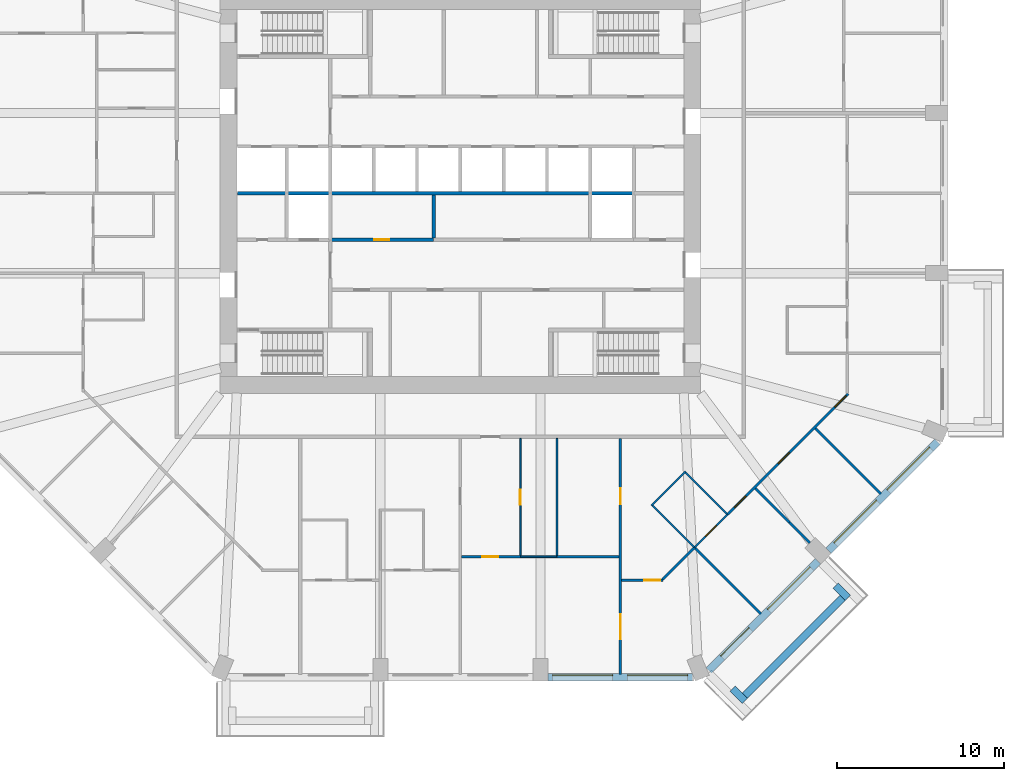
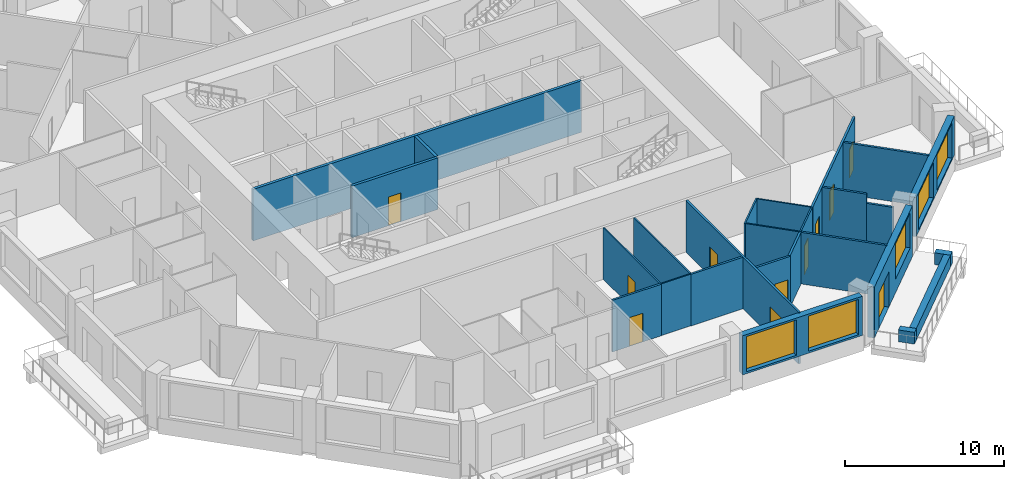
# One storey, part 5 of 13: 26 walls, 11 doors, 5 windows, 16 openings.
"""IFC4 building model written with IfcOpenShell, lengths in metres."""

from ifc_helpers import new_model, si_unit, direction, frame, frame_2d, origin, place, context, subcontext, project, spatial, rectangle, extrude, material, layer, layer_set, type_object, element, fill, save


model = new_model("IFC4")

# Units and contexts
model_context = context("Model", 3, precision=1e-05, world=origin(), true_north=direction((0.0, 1.0)))
body_context = subcontext(model_context, "Body", "Model", "MODEL_VIEW")
ifc_project = project(units=[si_unit("LENGTHUNIT", "METRE"), si_unit("AREAUNIT", "SQUARE_METRE"), si_unit("VOLUMEUNIT", "CUBIC_METRE"), si_unit("PLANEANGLEUNIT", "RADIAN"), si_unit("MASSUNIT", "GRAM", prefix="KILO")], contexts=[model_context])

# Site, building, storey
site_placement = place(None, origin())
site = spatial("IfcSite", under=ifc_project, at=site_placement, CompositionType="ELEMENT")
building_placement = place(site_placement, origin())
building = spatial("IfcBuilding", under=site, at=building_placement, Name="Msitu Wima Residences", CompositionType="ELEMENT")
storey_placement = place(building_placement, frame((0.0, 0.0, 80.10009765625)))
storey = spatial("IfcBuildingStorey", under=building, at=storey_placement, Name="L18", CompositionType="ELEMENT", Elevation=80.10009765625)

# Walls
ifc_material_1 = material(Name="Facing brick")
ifc_layer_1 = layer(ifc_material_1, 0.06494140625, Name="Facing brick")
ifc_material_2 = material(Name="Concrete C40/50", Category="concrete")
ifc_layer_2 = layer(ifc_material_2, 0.156005859375, Name="Concrete C40/50")
ifc_material_3 = material(Name="Waterproofing membrane")
ifc_layer_3 = layer(ifc_material_3, 0.00390625, Name="Waterproofing membrane")
ifc_material_4 = material(Name="Planting soil and planting")
ifc_layer_4 = layer(ifc_material_4, 0.22509765625, Name="Planting soil and planting")
ifc_layer_set_1 = layer_set([ifc_layer_1, ifc_layer_2, ifc_layer_3, ifc_layer_4], Name="Concrete C40/50")
wall_type_1 = type_object("IfcWallType", Name="Balcony planter PLANTER PL450", PredefinedType="USERDEFINED", material=ifc_layer_set_1)
wall_1_placement = place(storey_placement, frame((17.0693359375, -30.125732421875, 0.0), z_axis=(0.0, 0.0, 1.0), x_axis=(0.707106781187, 0.707106781187, 0.0)))
element("IfcWall", 1, at=wall_1_placement, inside=storey, type_object=wall_type_1, Name="Balcony planter SE0 L18", ObjectType="PLANTER", PredefinedType="USERDEFINED", context=body_context, shape_type="SweptSolid", body=[
    extrude(rectangle(XDim=8.2822265625, YDim=0.449951171875, at=frame_2d((4.14111328125, 0.0))), origin(), (0.0, 0.0, 1.0), 0.89990234375),
])
for number, where, z_axis, x_axis, name in (
    (2, (16.326904296875, -29.70166015625, 0.0), (0.0, 0.0, 1.0), (0.707106781187, -0.707106781187, 0.0), "Balcony planter SE0 L18"),
    (3, (22.50146484375, -23.52685546875, 0.0), (0.0, 0.0, 1.0), (0.707223014731, -0.706990528533, 0.0), "Balcony planter SE0 L18"),
):
    element("IfcWall", number, at=place(storey_placement, frame(where, z_axis=z_axis, x_axis=x_axis)), inside=storey, type_object=wall_type_1, Name=name, ObjectType="PLANTER", PredefinedType="USERDEFINED", context=body_context, shape_type="SweptSolid", body=[
        extrude(rectangle(XDim=1.050048828125, YDim=0.449951171875, at=frame_2d((0.52490234375, 0.0))), origin(), (0.0, 0.0, 1.0), 0.89990234375),
    ])

# Wall, openings, windows
ifc_material_5 = material(Name="Brick (red buff mix)", Category="masonry")
ifc_layer_5 = layer(ifc_material_5, 0.449951171875)
ifc_layer_set_2 = layer_set([ifc_layer_5], Name="Brick (red buff mix)")
wall_type_2 = type_object("IfcWallType", Name="Brick infill wall BW450", PredefinedType="SOLIDWALL", material=ifc_layer_set_2)
wall_2_placement = place(storey_placement, frame((5.25, -29.02490234375, 0.89990234375), z_axis=(0.0, 0.0, 1.0), x_axis=(1.0, 0.0, 0.0)))
wall_2 = element("IfcWall", 4, at=wall_2_placement, inside=storey, type_object=wall_type_2, Name="Brick infill wall L18 S2", PredefinedType="SOLIDWALL", context=body_context, shape_type="SweptSolid", body=[
    extrude(rectangle(XDim=8.662841796875, YDim=0.449951171875, at=frame_2d((4.33154296875, 0.0))), origin(), (0.0, 0.0, 1.0), 3.0),
])
opening_1_placement = place(wall_2_placement, frame((0.281494140625, 0.0, 0.14990234375)))
opening_1 = element("IfcOpeningElement", 5, at=opening_1_placement, cuts=wall_2, Name="Opening W18-20.020", PredefinedType="OPENING", context=body_context, shape_type="SweptSolid", body=[
    extrude(rectangle(XDim=3.60009765625, YDim=2.699951171875, at=frame_2d((1.800048828125, 1.35009765625))), frame((0.0, 0.23486328125, 0.0), z_axis=(0.0, -1.0, 0.0), x_axis=(1.0, 0.0, 0.0)), (0.0, 0.0, 1.0), 0.469970703125),
])
opening_2_placement = place(wall_2_placement, frame((4.781494140625, 0.0, 0.14990234375)))
opening_2 = element("IfcOpeningElement", 6, at=opening_2_placement, cuts=wall_2, Name="Opening W18-20.021", PredefinedType="OPENING", context=body_context, shape_type="SweptSolid", body=[
    extrude(rectangle(XDim=3.60009765625, YDim=2.699951171875, at=frame_2d((1.800048828125, 1.35009765625))), frame((0.0, 0.23486328125, 0.0), z_axis=(0.0, -1.0, 0.0), x_axis=(1.0, 0.0, 0.0)), (0.0, 0.0, 1.0), 0.469970703125),
])
ifc_material_6 = material(Name="Anodised aluminium, bronze finish, clear low-emissivity double glazing", Category="aluminium")
window_type = type_object("IfcWindowType", Name="Window W3600x2700", PartitioningType="DOUBLE_PANEL_VERTICAL", PredefinedType="WINDOW", material=ifc_material_6)
window_1_placement = place(opening_1_placement, origin())
window_1 = element("IfcWindow", 7, at=window_1_placement, inside=storey, type_object=window_type, Name="Window L18 S2.1", OverallHeight=2.699951171875, OverallWidth=3.60009765625, PartitioningType="SINGLE_PANEL", PredefinedType="WINDOW", context=body_context, shape_type="SweptSolid", body=[
    extrude(rectangle(XDim=3.60009765625, YDim=2.699951171875, at=frame_2d((1.800048828125, 1.35009765625))), frame((0.0, 0.135009765625, 0.0), z_axis=(0.0, -1.0, 0.0), x_axis=(1.0, 0.0, 0.0)), (0.0, 0.0, 1.0), 0.06005859375),
])
fill(opening_1, window_1)
window_2_placement = place(opening_2_placement, origin())
window_2 = element("IfcWindow", 8, at=window_2_placement, inside=storey, type_object=window_type, Name="Window L18 S2.2", OverallHeight=2.699951171875, OverallWidth=3.60009765625, PartitioningType="SINGLE_PANEL", PredefinedType="WINDOW", context=body_context, shape_type="SweptSolid", body=[
    extrude(rectangle(XDim=3.60009765625, YDim=2.699951171875, at=frame_2d((1.800048828125, 1.35009765625))), frame((0.0, 0.135009765625, 0.0), z_axis=(0.0, -1.0, 0.0), x_axis=(1.0, 0.0, 0.0)), (0.0, 0.0, 1.0), 0.06005859375),
])
fill(opening_2, window_2)

# Wall, openings, door, window
wall_3_placement = place(storey_placement, frame((14.903564453125, -28.61474609375, 0.0), z_axis=(0.0, 0.0, 1.0), x_axis=(0.707106781187, 0.707106781187, 0.0)))
wall_3 = element("IfcWall", 9, at=wall_3_placement, inside=storey, type_object=wall_type_2, Name="Brick infill wall L18 SE0", PredefinedType="SOLIDWALL", context=body_context, shape_type="SweptSolid", body=[
    extrude(rectangle(XDim=9.2451171875, YDim=0.449951171875, at=frame_2d((4.62255859375, 0.0))), origin(), (0.0, 0.0, 1.0), 3.89990234375),
])
opening_3_placement = place(wall_3_placement, frame((1.111328125, 0.0, 0.0)))
opening_3 = element("IfcOpeningElement", 10, at=opening_3_placement, cuts=wall_3, Name="Opening D18-20.006", PredefinedType="OPENING", context=body_context, shape_type="SweptSolid", body=[
    extrude(rectangle(XDim=2.39990234375, YDim=2.699951171875, at=frame_2d((1.199951171875, 1.35009765625))), frame((0.0, 0.23486328125, 0.0), z_axis=(0.0, -1.0, 0.0), x_axis=(1.0, 0.0, 0.0)), (0.0, 0.0, 1.0), 0.469970703125),
])
opening_4_placement = place(wall_3_placement, frame((5.072509765625, 0.0, 1.050048828125)))
opening_4 = element("IfcOpeningElement", 11, at=opening_4_placement, cuts=wall_3, Name="Opening W18-20.022", PredefinedType="OPENING", context=body_context, shape_type="SweptSolid", body=[
    extrude(rectangle(XDim=3.60009765625, YDim=2.699951171875, at=frame_2d((1.800048828125, 1.35009765625))), frame((0.0, 0.23486328125, 0.0), z_axis=(0.0, -1.0, 0.0), x_axis=(1.0, 0.0, 0.0)), (0.0, 0.0, 1.0), 0.469970703125),
])
door_type_1 = type_object("IfcDoorType", Name="Balcony door D2400x2700", OperationType="SLIDING_TO_LEFT", PredefinedType="DOOR", material=ifc_material_6)
door_1_placement = place(opening_3_placement, origin())
door_1 = element("IfcDoor", 12, at=door_1_placement, inside=storey, type_object=door_type_1, Name="Balcony door L18 SE0", OperationType="SINGLE_SWING_LEFT", OverallHeight=2.699951171875, OverallWidth=2.39990234375, PredefinedType="DOOR", context=body_context, shape_type="SweptSolid", body=[
    extrude(rectangle(XDim=2.39990234375, YDim=2.699951171875, at=frame_2d((1.199951171875, 1.35009765625))), frame((0.0, 0.1298828125, 0.0), z_axis=(0.0, -1.0, 0.0), x_axis=(1.0, 0.0, 0.0)), (0.0, 0.0, 1.0), 0.050048828125),
])
fill(opening_3, door_1)
window_3_placement = place(opening_4_placement, origin())
window_3 = element("IfcWindow", 13, at=window_3_placement, inside=storey, type_object=window_type, Name="Window L18 SE0.2", OverallHeight=2.699951171875, OverallWidth=3.60009765625, PartitioningType="SINGLE_PANEL", PredefinedType="WINDOW", context=body_context, shape_type="SweptSolid", body=[
    extrude(rectangle(XDim=3.60009765625, YDim=2.699951171875, at=frame_2d((1.800048828125, 1.35009765625))), frame((0.0, 0.135009765625, 0.0), z_axis=(0.0, -1.0, 0.0), x_axis=(1.0, 0.0, 0.0)), (0.0, 0.0, 1.0), 0.06005859375),
])
fill(opening_4, window_3)

# Wall, openings, windows
wall_4_placement = place(storey_placement, frame((22.077392578125, -21.44091796875, 0.89990234375), z_axis=(0.0, 0.0, 1.0), x_axis=(0.707106781187, 0.707106781187, 0.0)))
wall_4 = element("IfcWall", 14, at=wall_4_placement, inside=storey, type_object=wall_type_2, Name="Brick infill wall L18 SE1", PredefinedType="SOLIDWALL", context=body_context, shape_type="SweptSolid", body=[
    extrude(rectangle(XDim=9.2451171875, YDim=0.449951171875, at=frame_2d((4.62255859375, 0.0))), origin(), (0.0, 0.0, 1.0), 3.0),
])
opening_5_placement = place(wall_4_placement, frame((0.572509765625, 0.0, 0.14990234375)))
opening_5 = element("IfcOpeningElement", 15, at=opening_5_placement, cuts=wall_4, Name="Opening W18-20.023", PredefinedType="OPENING", context=body_context, shape_type="SweptSolid", body=[
    extrude(rectangle(XDim=3.60009765625, YDim=2.699951171875, at=frame_2d((1.800048828125, 1.35009765625))), frame((0.0, 0.23486328125, 0.0), z_axis=(0.0, -1.0, 0.0), x_axis=(1.0, 0.0, 0.0)), (0.0, 0.0, 1.0), 0.469970703125),
])
opening_6_placement = place(wall_4_placement, frame((5.072509765625, 0.0, 0.14990234375)))
opening_6 = element("IfcOpeningElement", 16, at=opening_6_placement, cuts=wall_4, Name="Opening W18-20.024", PredefinedType="OPENING", context=body_context, shape_type="SweptSolid", body=[
    extrude(rectangle(XDim=3.60009765625, YDim=2.699951171875, at=frame_2d((1.800048828125, 1.35009765625))), frame((0.0, 0.23486328125, 0.0), z_axis=(0.0, -1.0, 0.0), x_axis=(1.0, 0.0, 0.0)), (0.0, 0.0, 1.0), 0.469970703125),
])
window_4_placement = place(opening_5_placement, origin())
window_4 = element("IfcWindow", 17, at=window_4_placement, inside=storey, type_object=window_type, Name="Window L18 SE1.1", OverallHeight=2.699951171875, OverallWidth=3.60009765625, PartitioningType="SINGLE_PANEL", PredefinedType="WINDOW", context=body_context, shape_type="SweptSolid", body=[
    extrude(rectangle(XDim=3.60009765625, YDim=2.699951171875, at=frame_2d((1.800048828125, 1.35009765625))), frame((0.0, 0.135009765625, 0.0), z_axis=(0.0, -1.0, 0.0), x_axis=(1.0, 0.0, 0.0)), (0.0, 0.0, 1.0), 0.06005859375),
])
fill(opening_5, window_4)
window_5_placement = place(opening_6_placement, origin())
window_5 = element("IfcWindow", 18, at=window_5_placement, inside=storey, type_object=window_type, Name="Window L18 SE1.2", OverallHeight=2.699951171875, OverallWidth=3.60009765625, PartitioningType="SINGLE_PANEL", PredefinedType="WINDOW", context=body_context, shape_type="SweptSolid", body=[
    extrude(rectangle(XDim=3.60009765625, YDim=2.699951171875, at=frame_2d((1.800048828125, 1.35009765625))), frame((0.0, 0.135009765625, 0.0), z_axis=(0.0, -1.0, 0.0), x_axis=(1.0, 0.0, 0.0)), (0.0, 0.0, 1.0), 0.06005859375),
])
fill(opening_6, window_5)

# Wall, opening, door
ifc_material_7 = material(Name="Plaster")
ifc_layer_6 = layer(ifc_material_7, 0.011962890625, Name="Plaster")
ifc_material_8 = material(Name="Concrete blockwork", Category="masonry")
ifc_layer_7 = layer(ifc_material_8, 0.1259765625, Name="Concrete blockwork")
ifc_layer_8 = layer(ifc_material_7, 0.011962890625, Name="Plaster")
ifc_layer_set_3 = layer_set([ifc_layer_6, ifc_layer_7, ifc_layer_8], Name="Concrete blockwork")
wall_type_3 = type_object("IfcWallType", Name="Partition PW150", PredefinedType="PARTITIONING", material=ifc_layer_set_3)
wall_5_placement = place(storey_placement, frame((0.074951171875, -21.800048828125, 0.0), z_axis=(0.0, 0.0, 1.0), x_axis=(1.0, 0.0, 0.0)))
wall_5 = element("IfcWall", 19, at=wall_5_placement, inside=storey, type_object=wall_type_3, Name="Partition", PredefinedType="PARTITIONING", context=body_context, shape_type="SweptSolid", body=[
    extrude(rectangle(XDim=3.545166015625, YDim=0.14990234375, at=frame_2d((1.7724609375, 0.0))), origin(), (0.0, 0.0, 1.0), 3.949951171875),
])
opening_7_placement = place(wall_5_placement, frame((1.25, 0.0, 0.0)))
opening_7 = element("IfcOpeningElement", 20, at=opening_7_placement, cuts=wall_5, Name="Opening D18-20.066", PredefinedType="OPENING", context=body_context, shape_type="SweptSolid", body=[
    extrude(rectangle(XDim=0.949951171875, YDim=2.199951171875, at=frame_2d((0.47509765625, 1.10009765625))), frame((0.0, 0.0849609375, 0.0), z_axis=(0.0, -1.0, 0.0), x_axis=(1.0, 0.0, 0.0)), (0.0, 0.0, 1.0), 0.169921875),
])
ifc_material_9 = material(Name="Timber flush door", Category="wood")
door_type_2 = type_object("IfcDoorType", Name="Room door D12 950x2200", OperationType="SINGLE_SWING_LEFT", PredefinedType="DOOR", material=ifc_material_9)
door_2_placement = place(opening_7_placement, origin())
door_2 = element("IfcDoor", 21, at=door_2_placement, inside=storey, type_object=door_type_2, Name="Room door", OperationType="SINGLE_SWING_RIGHT", OverallHeight=2.199951171875, OverallWidth=0.949951171875, PredefinedType="DOOR", context=body_context, shape_type="SweptSolid", body=[
    extrude(rectangle(XDim=0.949951171875, YDim=2.199951171875, at=frame_2d((0.47509765625, 1.10009765625))), frame((0.0, 0.02490234375, 0.0), z_axis=(0.0, -1.0, 0.0), x_axis=(1.0, 0.0, 0.0)), (0.0, 0.0, 1.0), 0.050048828125),
])
fill(opening_7, door_2)

# Wall
wall_6_placement = place(storey_placement, frame((5.780029296875, -21.800048828125, 0.0), z_axis=(0.0, 0.0, 1.0), x_axis=(1.0, 0.0, 0.0)))
element("IfcWall", 22, at=wall_6_placement, inside=storey, type_object=wall_type_3, Name="Partition", PredefinedType="PARTITIONING", context=body_context, shape_type="SweptSolid", body=[
    extrude(rectangle(XDim=3.744873046875, YDim=0.14990234375, at=frame_2d((1.87255859375, 0.0))), origin(), (0.0, 0.0, 1.0), 3.949951171875),
])

# Wall, openings, doors
wall_7_placement = place(storey_placement, frame((9.60009765625, -28.85498046875, 0.0), z_axis=(0.0, 0.0, 1.0), x_axis=(0.0, 1.0, 0.0)))
wall_7 = element("IfcWall", 23, at=wall_7_placement, inside=storey, type_object=wall_type_3, Name="Partition", PredefinedType="PARTITIONING", context=body_context, shape_type="SweptSolid", body=[
    extrude(rectangle(XDim=14.155029296875, YDim=0.14990234375, at=frame_2d((7.07763671875, 0.0))), origin(), (0.0, 0.0, 1.0), 3.949951171875),
])
opening_8_placement = place(wall_7_placement, frame((2.10009765625, 0.0, 0.0)))
opening_8 = element("IfcOpeningElement", 24, at=opening_8_placement, cuts=wall_7, Name="Opening D18-20.067", PredefinedType="OPENING", context=body_context, shape_type="SweptSolid", body=[
    extrude(rectangle(XDim=1.5, YDim=2.199951171875, at=frame_2d((0.75, 1.10009765625))), frame((0.0, 0.0849609375, 0.0), z_axis=(0.0, -1.0, 0.0), x_axis=(1.0, 0.0, 0.0)), (0.0, 0.0, 1.0), 0.169921875),
])
opening_9_placement = place(wall_7_placement, frame((10.199951171875, 0.0, 0.0)))
opening_9 = element("IfcOpeningElement", 25, at=opening_9_placement, cuts=wall_7, Name="Opening D18-20.080", PredefinedType="OPENING", context=body_context, shape_type="SweptSolid", body=[
    extrude(rectangle(XDim=0.949951171875, YDim=2.199951171875, at=frame_2d((0.47509765625, 1.10009765625))), frame((0.0, 0.0849609375, 0.0), z_axis=(0.0, -1.0, 0.0), x_axis=(1.0, 0.0, 0.0)), (0.0, 0.0, 1.0), 0.169921875),
])
ifc_material_10 = material(Name="Timber double door", Category="wood")
door_type_3 = type_object("IfcDoorType", Name="Double door D04 1500x2200", OperationType="DOUBLE_DOOR_SINGLE_SWING", PredefinedType="DOOR", material=ifc_material_10)
door_3_placement = place(opening_8_placement, origin())
door_3 = element("IfcDoor", 26, at=door_3_placement, inside=storey, type_object=door_type_3, Name="Double door", OperationType="DOUBLE_DOOR_SINGLE_SWING", OverallHeight=2.199951171875, OverallWidth=1.5, PredefinedType="DOOR", context=body_context, shape_type="SweptSolid", body=[
    extrude(rectangle(XDim=1.5, YDim=2.199951171875, at=frame_2d((0.75, 1.10009765625))), frame((0.0, 0.02490234375, 0.0), z_axis=(0.0, -1.0, 0.0), x_axis=(1.0, 0.0, 0.0)), (0.0, 0.0, 1.0), 0.050048828125),
])
fill(opening_8, door_3)
door_4_placement = place(opening_9_placement, origin())
door_4 = element("IfcDoor", 27, at=door_4_placement, inside=storey, type_object=door_type_2, Name="Room door", OperationType="SINGLE_SWING_RIGHT", OverallHeight=2.199951171875, OverallWidth=0.949951171875, PredefinedType="DOOR", context=body_context, shape_type="SweptSolid", body=[
    extrude(rectangle(XDim=0.949951171875, YDim=2.199951171875, at=frame_2d((0.47509765625, 1.10009765625))), frame((0.0, 0.02490234375, 0.0), z_axis=(0.0, -1.0, 0.0), x_axis=(1.0, 0.0, 0.0)), (0.0, 0.0, 1.0), 0.050048828125),
])
fill(opening_9, door_4)

# Wall, opening, door
wall_8_placement = place(storey_placement, frame((9.675048828125, -23.199951171875, 0.0), z_axis=(0.0, 0.0, 1.0), x_axis=(1.0, 0.0, 0.0)))
wall_8 = element("IfcWall", 28, at=wall_8_placement, inside=storey, type_object=wall_type_3, Name="Partition", PredefinedType="PARTITIONING", context=body_context, shape_type="SweptSolid", body=[
    extrude(rectangle(XDim=2.48046875, YDim=0.14990234375, at=frame_2d((1.240234375, 0.0))), origin(), (0.0, 0.0, 1.0), 3.949951171875),
])
opening_10_placement = place(wall_8_placement, frame((1.35009765625, 0.0, 0.0)))
opening_10 = element("IfcOpeningElement", 29, at=opening_10_placement, cuts=wall_8, Name="Opening D18-20.073", PredefinedType="OPENING", context=body_context, shape_type="SweptSolid", body=[
    extrude(rectangle(XDim=0.949951171875, YDim=2.199951171875, at=frame_2d((0.47509765625, 1.10009765625))), frame((0.0, 0.0849609375, 0.0), z_axis=(0.0, -1.0, 0.0), x_axis=(1.0, 0.0, 0.0)), (0.0, 0.0, 1.0), 0.169921875),
])
door_5_placement = place(opening_10_placement, origin())
door_5 = element("IfcDoor", 30, at=door_5_placement, inside=storey, type_object=door_type_2, Name="Room door", OperationType="SINGLE_SWING_RIGHT", OverallHeight=2.199951171875, OverallWidth=0.949951171875, PredefinedType="DOOR", context=body_context, shape_type="SweptSolid", body=[
    extrude(rectangle(XDim=0.949951171875, YDim=2.199951171875, at=frame_2d((0.47509765625, 1.10009765625))), frame((0.0, 0.02490234375, 0.0), z_axis=(0.0, -1.0, 0.0), x_axis=(1.0, 0.0, 0.0)), (0.0, 0.0, 1.0), 0.050048828125),
])
fill(opening_10, door_5)

# Walls
wall_9_placement = place(storey_placement, frame((12.133544921875, -23.14697265625, 0.0), z_axis=(0.0, 0.0, 1.0), x_axis=(0.707106781187, 0.707106781187, 0.0)))
element("IfcWall", 31, at=wall_9_placement, inside=storey, type_object=wall_type_3, Name="Partition", PredefinedType="PARTITIONING", context=body_context, shape_type="SweptSolid", body=[
    extrude(rectangle(XDim=2.696533203125, YDim=0.14990234375, at=frame_2d((1.34814453125, 0.0))), origin(), (0.0, 0.0, 1.0), 3.949951171875),
])
wall_10_placement = place(storey_placement, frame((14.026123046875, -21.22607421875, 0.0), z_axis=(0.0, 0.0, 1.0), x_axis=(0.707085156134, -0.707128405578, 0.0)))
element("IfcWall", 32, at=wall_10_placement, inside=storey, type_object=wall_type_3, Name="Partition", PredefinedType="PARTITIONING", context=body_context, shape_type="SweptSolid", body=[
    extrude(rectangle(XDim=5.64501953125, YDim=0.14990234375, at=frame_2d((2.822509765625, 0.0))), origin(), (0.0, 0.0, 1.0), 3.949951171875),
])

# Wall, openings, doors
wall_11_placement = place(storey_placement, frame((16.02001953125, -19.26025390625, 0.0), z_axis=(0.0, 0.0, 1.0), x_axis=(0.707106781187, 0.707106781187, 0.0)))
wall_11 = element("IfcWall", 33, at=wall_11_placement, inside=storey, type_object=wall_type_3, Name="Partition", PredefinedType="PARTITIONING", context=body_context, shape_type="SweptSolid", body=[
    extrude(rectangle(XDim=10.228759765625, YDim=0.14990234375, at=frame_2d((5.1142578125, 0.0))), origin(), (0.0, 0.0, 1.0), 3.949951171875),
])
opening_11_placement = place(wall_11_placement, frame((4.300048828125, 0.0, 0.0)))
opening_11 = element("IfcOpeningElement", 34, at=opening_11_placement, cuts=wall_11, Name="Opening D18-20.074", PredefinedType="OPENING", context=body_context, shape_type="SweptSolid", body=[
    extrude(rectangle(XDim=0.949951171875, YDim=2.199951171875, at=frame_2d((0.47509765625, 1.10009765625))), frame((0.0, 0.0849609375, 0.0), z_axis=(0.0, -1.0, 0.0), x_axis=(1.0, 0.0, 0.0)), (0.0, 0.0, 1.0), 0.169921875),
])
opening_12_placement = place(wall_11_placement, frame((0.60009765625, 0.0, 0.0)))
opening_12 = element("IfcOpeningElement", 35, at=opening_12_placement, cuts=wall_11, Name="Opening D18-20.076", PredefinedType="OPENING", context=body_context, shape_type="SweptSolid", body=[
    extrude(rectangle(XDim=0.949951171875, YDim=2.199951171875, at=frame_2d((0.47509765625, 1.10009765625))), frame((0.0, 0.0849609375, 0.0), z_axis=(0.0, -1.0, 0.0), x_axis=(1.0, 0.0, 0.0)), (0.0, 0.0, 1.0), 0.169921875),
])
opening_13_placement = place(wall_11_placement, frame((9.10009765625, 0.0, 0.0)))
opening_13 = element("IfcOpeningElement", 36, at=opening_13_placement, cuts=wall_11, Name="Opening D18-20.082", PredefinedType="OPENING", context=body_context, shape_type="SweptSolid", body=[
    extrude(rectangle(XDim=0.949951171875, YDim=2.199951171875, at=frame_2d((0.47509765625, 1.10009765625))), frame((0.0, 0.0849609375, 0.0), z_axis=(0.0, -1.0, 0.0), x_axis=(1.0, 0.0, 0.0)), (0.0, 0.0, 1.0), 0.169921875),
])
door_6_placement = place(opening_11_placement, origin())
door_6 = element("IfcDoor", 37, at=door_6_placement, inside=storey, type_object=door_type_2, Name="Room door", OperationType="SINGLE_SWING_RIGHT", OverallHeight=2.199951171875, OverallWidth=0.949951171875, PredefinedType="DOOR", context=body_context, shape_type="SweptSolid", body=[
    extrude(rectangle(XDim=0.949951171875, YDim=2.199951171875, at=frame_2d((0.47509765625, 1.10009765625))), frame((0.0, 0.02490234375, 0.0), z_axis=(0.0, -1.0, 0.0), x_axis=(1.0, 0.0, 0.0)), (0.0, 0.0, 1.0), 0.050048828125),
])
fill(opening_11, door_6)
door_7_placement = place(opening_12_placement, origin())
door_7 = element("IfcDoor", 38, at=door_7_placement, inside=storey, type_object=door_type_2, Name="Room door", OperationType="SINGLE_SWING_LEFT", OverallHeight=2.199951171875, OverallWidth=0.949951171875, PredefinedType="DOOR", context=body_context, shape_type="SweptSolid", body=[
    extrude(rectangle(XDim=0.949951171875, YDim=2.199951171875, at=frame_2d((0.47509765625, 1.10009765625))), frame((0.0, 0.02490234375, 0.0), z_axis=(0.0, -1.0, 0.0), x_axis=(1.0, 0.0, 0.0)), (0.0, 0.0, 1.0), 0.050048828125),
])
fill(opening_12, door_7)
door_8_placement = place(opening_13_placement, origin())
door_8 = element("IfcDoor", 39, at=door_8_placement, inside=storey, type_object=door_type_2, Name="Room door", OperationType="SINGLE_SWING_RIGHT", OverallHeight=2.199951171875, OverallWidth=0.949951171875, PredefinedType="DOOR", context=body_context, shape_type="SweptSolid", body=[
    extrude(rectangle(XDim=0.949951171875, YDim=2.199951171875, at=frame_2d((0.47509765625, 1.10009765625))), frame((0.0, 0.02490234375, 0.0), z_axis=(0.0, -1.0, 0.0), x_axis=(1.0, 0.0, 0.0)), (0.0, 0.0, 1.0), 0.050048828125),
])
fill(opening_13, door_8)

# Walls
wall_12_placement = place(storey_placement, frame((17.693115234375, -17.693115234375, 0.0), z_axis=(0.0, 0.0, 1.0), x_axis=(0.707106781187, -0.707106781187, 0.0)))
element("IfcWall", 40, at=wall_12_placement, inside=storey, type_object=wall_type_3, Name="Partition", PredefinedType="PARTITIONING", context=body_context, shape_type="SweptSolid", body=[
    extrude(rectangle(XDim=2.876708984375, YDim=0.14990234375, at=frame_2d((1.4384765625, 0.0))), origin(), (0.0, 0.0, 1.0), 3.949951171875),
])
wall_13_placement = place(storey_placement, frame((19.727294921875, -19.727294921875, 0.0), z_axis=(0.0, 0.0, 1.0), x_axis=(0.707106781187, -0.707106781187, 0.0)))
element("IfcWall", 41, at=wall_13_placement, inside=storey, type_object=wall_type_3, Name="Partition", PredefinedType="PARTITIONING", context=body_context, shape_type="SweptSolid", body=[
    extrude(rectangle(XDim=1.74853515625, YDim=0.14990234375, at=frame_2d((0.874267578125, 0.0))), origin(), (0.0, 0.0, 1.0), 3.25),
])
wall_14_placement = place(storey_placement, frame((21.293212890625, -14.09326171875, 0.0), z_axis=(0.0, 0.0, 1.0), x_axis=(0.707128775519, -0.70708478617, 0.0)))
element("IfcWall", 42, at=wall_14_placement, inside=storey, type_object=wall_type_3, Name="Partition", PredefinedType="PARTITIONING", context=body_context, shape_type="SweptSolid", body=[
    extrude(rectangle(XDim=5.550048828125, YDim=0.14990234375, at=frame_2d((2.77490234375, 0.0))), origin(), (0.0, 0.0, 1.0), 3.949951171875),
])

# Wall, opening, door
ifc_layer_9 = layer(ifc_material_7, 0.011962890625, Name="Plaster")
ifc_material_11 = material(Name="Reinforced concrete blockwork", Category="masonry")
ifc_layer_10 = layer(ifc_material_11, 0.176025390625, Name="Reinforced concrete blockwork")
ifc_layer_11 = layer(ifc_material_7, 0.011962890625, Name="Plaster")
ifc_layer_set_4 = layer_set([ifc_layer_9, ifc_layer_10, ifc_layer_11], Name="Reinforced concrete blockwork")
wall_type_4 = type_object("IfcWallType", Name="Plant and riser wall PL200", PredefinedType="PARTITIONING", material=ifc_layer_set_4)
wall_15_placement = place(storey_placement, frame((-7.820068359375, -2.800048828125, 0.0), z_axis=(0.0, 0.0, 1.0), x_axis=(1.0, 0.0, 0.0)))
wall_15 = element("IfcWall", 43, at=wall_15_placement, inside=storey, type_object=wall_type_4, Name="Plant and riser wall", PredefinedType="PARTITIONING", context=body_context, shape_type="SweptSolid", body=[
    extrude(rectangle(XDim=6.199951171875, YDim=0.199951171875, at=frame_2d((3.10009765625, 0.0))), origin(), (0.0, 0.0, 1.0), 3.949951171875),
])
opening_14_placement = place(wall_15_placement, frame((2.64990234375, 0.0, 0.0)))
opening_14 = element("IfcOpeningElement", 44, at=opening_14_placement, cuts=wall_15, Name="Opening D18-20.029", PredefinedType="OPENING", context=body_context, shape_type="SweptSolid", body=[
    extrude(rectangle(XDim=0.89990234375, YDim=2.199951171875, at=frame_2d((0.449951171875, 1.10009765625))), frame((0.0, 0.10986328125, 0.0), z_axis=(0.0, -1.0, 0.0), x_axis=(1.0, 0.0, 0.0)), (0.0, 0.0, 1.0), 0.219970703125),
])
door_type_4 = type_object("IfcDoorType", Name="Service door D05 900x2200", OperationType="SINGLE_SWING_LEFT", PredefinedType="DOOR", material=ifc_material_9)
door_9_placement = place(opening_14_placement, origin())
door_9 = element("IfcDoor", 45, at=door_9_placement, inside=storey, type_object=door_type_4, Name="Service door", OperationType="SINGLE_SWING_LEFT", OverallHeight=2.199951171875, OverallWidth=0.89990234375, PredefinedType="DOOR", context=body_context, shape_type="SweptSolid", body=[
    extrude(rectangle(XDim=0.89990234375, YDim=2.199951171875, at=frame_2d((0.449951171875, 1.10009765625))), frame((0.0, 0.02490234375, 0.0), z_axis=(0.0, -1.0, 0.0), x_axis=(1.0, 0.0, 0.0)), (0.0, 0.0, 1.0), 0.050048828125),
])
fill(opening_14, door_9)

# Walls
wall_16_placement = place(storey_placement, frame((-1.60009765625, -2.699951171875, 0.0), z_axis=(0.0, 0.0, 1.0), x_axis=(0.0, 1.0, 0.0)))
element("IfcWall", 46, at=wall_16_placement, inside=storey, type_object=wall_type_4, Name="Plant and riser wall", PredefinedType="PARTITIONING", context=body_context, shape_type="SweptSolid", body=[
    extrude(rectangle(XDim=2.599853515625, YDim=0.199951171875, at=frame_2d((1.2998046875, 0.0))), origin(), (0.0, 0.0, 1.0), 3.949951171875),
])
ifc_material_12 = material(Name="Fire-rated board")
ifc_layer_12 = layer(ifc_material_12, 0.02490234375, Name="Fire-rated board")
ifc_material_13 = material(Name="Light-gauge stud framing with mineral wool")
ifc_layer_13 = layer(ifc_material_13, 0.14990234375, Name="Light-gauge stud framing with mineral wool")
ifc_layer_14 = layer(ifc_material_12, 0.02490234375, Name="Fire-rated board")
ifc_layer_set_5 = layer_set([ifc_layer_12, ifc_layer_13, ifc_layer_14], Name="Light-gauge stud framing with mineral wool")
wall_type_5 = type_object("IfcWallType", Name="Shaft wall SH200", PredefinedType="PARTITIONING", material=ifc_layer_set_5)
wall_17_placement = place(storey_placement, frame((-13.3701171875, 0.0, 0.0), z_axis=(0.0, 0.0, 1.0), x_axis=(1.0, 0.0, 0.0)))
element("IfcWall", 47, at=wall_17_placement, inside=storey, type_object=wall_type_5, Name="Shaft wall", PredefinedType="PARTITIONING", context=body_context, shape_type="SweptSolid", body=[
    extrude(rectangle(XDim=23.77001953125, YDim=0.199951171875, at=frame_2d((11.885009765625, 0.0))), origin(), (0.0, 0.0, 1.0), 3.949951171875),
])
ifc_material_14 = material(Name="Ceramic tiles")
ifc_layer_15 = layer(ifc_material_14, 0.008056640625, Name="Ceramic tiles")
ifc_material_15 = material(Name="Moisture-resistant board")
ifc_layer_16 = layer(ifc_material_15, 0.012451171875, Name="Moisture-resistant board")
ifc_layer_17 = layer(ifc_material_13, 0.06689453125, Name="Light-gauge stud framing with mineral wool")
ifc_layer_18 = layer(ifc_material_15, 0.012451171875, Name="Moisture-resistant board")
ifc_layer_set_6 = layer_set([ifc_layer_15, ifc_layer_16, ifc_layer_17, ifc_layer_18], Name="Light-gauge stud framing with mineral wool")
wall_type_6 = type_object("IfcWallType", Name="Wet wall PW100", PredefinedType="PARTITIONING", material=ifc_layer_set_6)
wall_18_placement = place(storey_placement, frame((3.6201171875, -21.800048828125, 0.0), z_axis=(0.0, 0.0, 1.0), x_axis=(1.0, 0.0, 0.0)))
element("IfcWall", 48, at=wall_18_placement, inside=storey, type_object=wall_type_6, Name="Wet wall", PredefinedType="PARTITIONING", context=body_context, shape_type="SweptSolid", body=[
    extrude(rectangle(XDim=2.159912109375, YDim=0.10009765625, at=frame_2d((1.080078125, 0.0))), origin(), (0.0, 0.0, 1.0), 3.949951171875),
])

# Wall, opening, door
wall_19_placement = place(storey_placement, frame((3.60009765625, -21.72509765625, 0.0), z_axis=(0.0, 0.0, 1.0), x_axis=(0.0, 1.0, 0.0)))
wall_19 = element("IfcWall", 49, at=wall_19_placement, inside=storey, type_object=wall_type_6, Name="Wet wall", PredefinedType="PARTITIONING", context=body_context, shape_type="SweptSolid", body=[
    extrude(rectangle(XDim=7.025146484375, YDim=0.10009765625, at=frame_2d((3.5126953125, 0.0))), origin(), (0.0, 0.0, 1.0), 3.949951171875),
])
opening_15_placement = place(wall_19_placement, frame((3.050048828125, 0.0, 0.0)))
opening_15 = element("IfcOpeningElement", 50, at=opening_15_placement, cuts=wall_19, Name="Opening D18-20.065", PredefinedType="OPENING", context=body_context, shape_type="SweptSolid", body=[
    extrude(rectangle(XDim=0.89990234375, YDim=2.199951171875, at=frame_2d((0.449951171875, 1.10009765625))), frame((0.0, 0.06005859375, 0.0), z_axis=(0.0, -1.0, 0.0), x_axis=(1.0, 0.0, 0.0)), (0.0, 0.0, 1.0), 0.1201171875),
])
ifc_material_16 = material(Name="Timber flush door, moisture resistant", Category="wood")
door_type_5 = type_object("IfcDoorType", Name="Bathroom door D03 900x2200", OperationType="SINGLE_SWING_LEFT", PredefinedType="DOOR", material=ifc_material_16)
door_10_placement = place(opening_15_placement, origin())
door_10 = element("IfcDoor", 51, at=door_10_placement, inside=storey, type_object=door_type_5, Name="Bathroom door", OperationType="SINGLE_SWING_RIGHT", OverallHeight=2.199951171875, OverallWidth=0.89990234375, PredefinedType="DOOR", context=body_context, shape_type="SweptSolid", body=[
    extrude(rectangle(XDim=0.89990234375, YDim=2.199951171875, at=frame_2d((0.449951171875, 1.10009765625))), frame((0.0, 0.02490234375, 0.0), z_axis=(0.0, -1.0, 0.0), x_axis=(1.0, 0.0, 0.0)), (0.0, 0.0, 1.0), 0.050048828125),
])
fill(opening_15, door_10)

# Walls
wall_20_placement = place(storey_placement, frame((5.800048828125, -21.72509765625, 0.0), z_axis=(0.0, 0.0, 1.0), x_axis=(0.0, 1.0, 0.0)))
element("IfcWall", 52, at=wall_20_placement, inside=storey, type_object=wall_type_6, Name="Wet wall", PredefinedType="PARTITIONING", context=body_context, shape_type="SweptSolid", body=[
    extrude(rectangle(XDim=7.025146484375, YDim=0.10009765625, at=frame_2d((3.5126953125, 0.0))), origin(), (0.0, 0.0, 1.0), 3.949951171875),
])
wall_21_placement = place(storey_placement, frame((11.459228515625, -18.72998046875, 0.0), z_axis=(0.0, 0.0, 1.0), x_axis=(0.707106781187, 0.707106781187, 0.0)))
element("IfcWall", 53, at=wall_21_placement, inside=storey, type_object=wall_type_6, Name="Wet wall", PredefinedType="PARTITIONING", context=body_context, shape_type="SweptSolid", body=[
    extrude(rectangle(XDim=2.89990234375, YDim=0.10009765625, at=frame_2d((1.449951171875, 0.0))), origin(), (0.0, 0.0, 1.0), 3.949951171875),
])
wall_22_placement = place(storey_placement, frame((11.530029296875, -18.72998046875, 0.0), z_axis=(0.0, 0.0, 1.0), x_axis=(0.707106781187, -0.707106781187, 0.0)))
element("IfcWall", 54, at=wall_22_placement, inside=storey, type_object=wall_type_6, Name="Wet wall", PredefinedType="PARTITIONING", context=body_context, shape_type="SweptSolid", body=[
    extrude(rectangle(XDim=3.530029296875, YDim=0.10009765625, at=frame_2d((1.76513671875, 0.0))), origin(), (0.0, 0.0, 1.0), 3.949951171875),
])
wall_23_placement = place(storey_placement, frame((13.509765625, -16.75, 0.0), z_axis=(0.0, 0.0, 1.0), x_axis=(0.707141656123, -0.70707190453, 0.0)))
element("IfcWall", 55, at=wall_23_placement, inside=storey, type_object=wall_type_6, Name="Wet wall", PredefinedType="PARTITIONING", context=body_context, shape_type="SweptSolid", body=[
    extrude(rectangle(XDim=3.500244140625, YDim=0.10009765625, at=frame_2d((1.75, 0.0))), origin(), (0.0, 0.0, 1.0), 3.949951171875),
])

# Wall, opening, door
wall_24_placement = place(storey_placement, frame((14.040283203125, -21.240234375, 0.0), z_axis=(0.0, 0.0, 1.0), x_axis=(0.707063182409, 0.707150377276, 0.0)))
wall_24 = element("IfcWall", 56, at=wall_24_placement, inside=storey, type_object=wall_type_6, Name="Wet wall", PredefinedType="PARTITIONING", context=body_context, shape_type="SweptSolid", body=[
    extrude(rectangle(XDim=2.800048828125, YDim=0.10009765625, at=frame_2d((1.39990234375, 0.0))), origin(), (0.0, 0.0, 1.0), 3.949951171875),
])
opening_16_placement = place(wall_24_placement, frame((0.949951171875, 0.0, 0.0)))
opening_16 = element("IfcOpeningElement", 57, at=opening_16_placement, cuts=wall_24, Name="Opening D18-20.077", PredefinedType="OPENING", context=body_context, shape_type="SweptSolid", body=[
    extrude(rectangle(XDim=0.89990234375, YDim=2.199951171875, at=frame_2d((0.449951171875, 1.10009765625))), frame((0.0, 0.06005859375, 0.0), z_axis=(0.0, -1.0, 0.0), x_axis=(1.0, 0.0, 0.0)), (0.0, 0.0, 1.0), 0.1201171875),
])
door_11_placement = place(opening_16_placement, origin())
door_11 = element("IfcDoor", 58, at=door_11_placement, inside=storey, type_object=door_type_5, Name="Bathroom door", OperationType="SINGLE_SWING_LEFT", OverallHeight=2.199951171875, OverallWidth=0.89990234375, PredefinedType="DOOR", context=body_context, shape_type="SweptSolid", body=[
    extrude(rectangle(XDim=0.89990234375, YDim=2.199951171875, at=frame_2d((0.449951171875, 1.10009765625))), frame((0.0, 0.02490234375, 0.0), z_axis=(0.0, -1.0, 0.0), x_axis=(1.0, 0.0, 0.0)), (0.0, 0.0, 1.0), 0.050048828125),
])
fill(opening_16, door_11)

save(model, "model.ifc")
